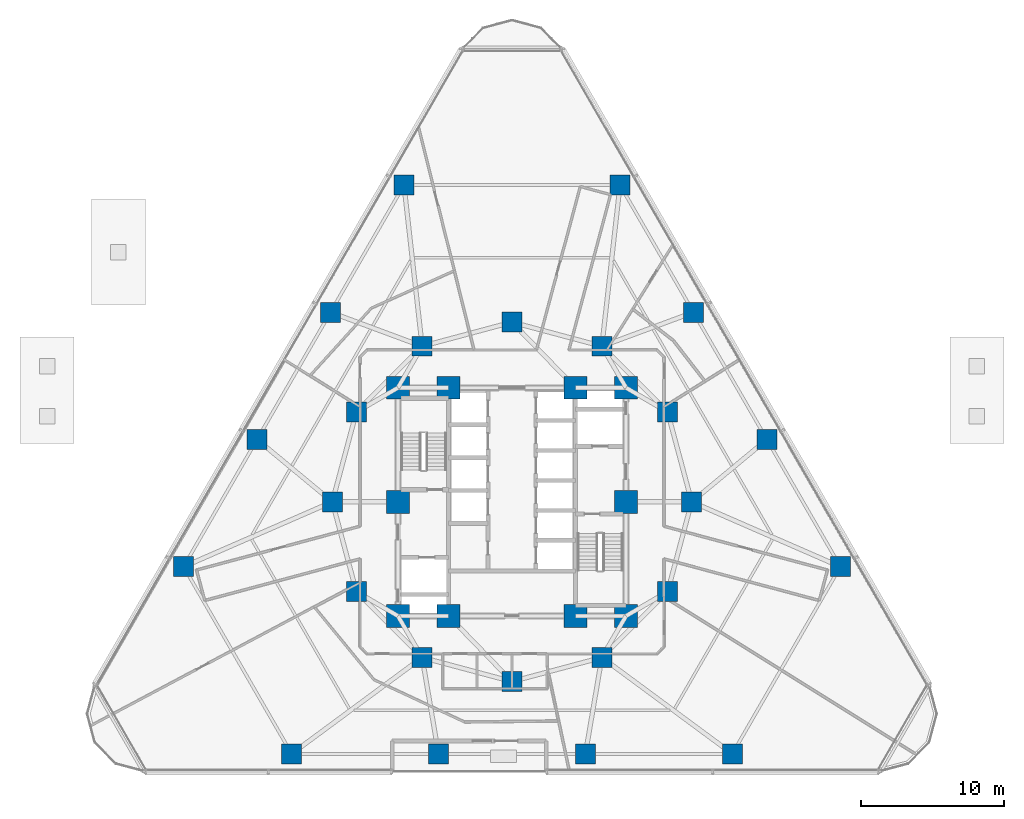
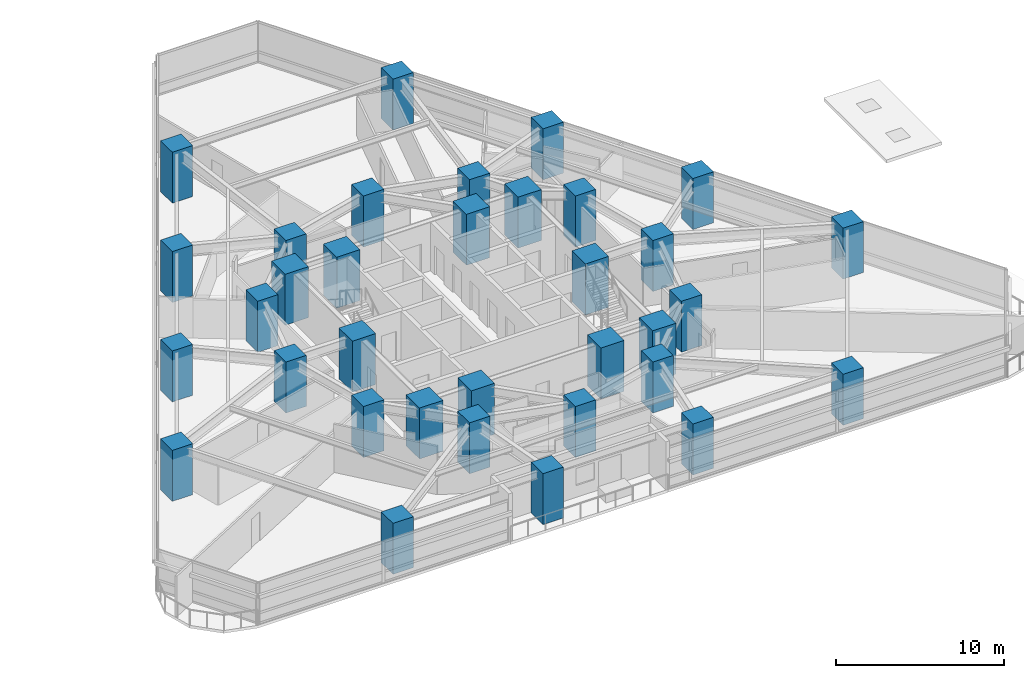
# One storey, part 1 of 16: 34 columns.
"""IFC4 building model written with IfcOpenShell, lengths in metres."""

from ifc_helpers import new_model, si_unit, direction, frame, origin, origin_2d, place, context, subcontext, project, spatial, rectangle, extrude, material, material_profile, profile_set, type_object, element, save


model = new_model("IFC4")

# Units and contexts
model_context = context("Model", 3, precision=1e-05, world=origin(), true_north=direction((0.0, 1.0)))
body_context = subcontext(model_context, "Body", "Model", "MODEL_VIEW")
ifc_project = project(units=[si_unit("LENGTHUNIT", "METRE"), si_unit("AREAUNIT", "SQUARE_METRE"), si_unit("VOLUMEUNIT", "CUBIC_METRE"), si_unit("PLANEANGLEUNIT", "RADIAN"), si_unit("MASSUNIT", "GRAM", prefix="KILO")], contexts=[model_context])

# Site, building, storey
site_placement = place(None, origin())
site = spatial("IfcSite", under=ifc_project, at=site_placement, CompositionType="ELEMENT")
building_placement = place(site_placement, origin())
building = spatial("IfcBuilding", under=site, at=building_placement, Name="Terralouvre Media Tower", CompositionType="ELEMENT")
storey_placement = place(building_placement, frame((0.0, 0.0, 29.699951171875)))
storey = spatial("IfcBuildingStorey", under=building, at=storey_placement, Name="L06", CompositionType="ELEMENT", Elevation=29.699951171875)

# Columns
ifc_material_1 = material(Name="Concrete C60/75", Category="concrete")
ifc_material_profile_1 = material_profile(ifc_material_1, rectangle(XDim=1.39990234375, YDim=1.39990234375, at=origin_2d()), Name="RC 1400x1400")
ifc_profile_set_1 = profile_set([ifc_material_profile_1], Name="Concrete C60/75")
column_type_1 = type_object("IfcColumnType", Name="Structural Column C-RC1400 (RC 1400x1400)", PredefinedType="COLUMN", material=ifc_profile_set_1)
for number, where, z_axis, x_axis, name in (
    (1, (12.60009765625, 0.0, 0.0), (0.0, 0.0, 1.0), (1.0, 0.0, 0.0), "L06 Mega-Frame Column MC01"),
    (2, (10.911865234375, 6.300048828125, 0.0), (0.0, 0.0, 1.0), (1.0, 0.0, 0.0), "L06 Mega-Frame Column MC02"),
    (3, (6.300048828125, 10.911865234375, 0.0), (0.0, 0.0, 1.0), (1.0, 0.0, 0.0), "L06 Mega-Frame Column MC03"),
    (4, (0.0, 12.60009765625, 0.0), (0.0, 0.0, 1.0), (1.0, 0.0, 0.0), "L06 Mega-Frame Column MC04"),
    (5, (-6.300048828125, 10.911865234375, 0.0), (0.0, 0.0, 1.0), (1.0, 0.0, 0.0), "L06 Mega-Frame Column MC05"),
    (6, (-10.911865234375, 6.300048828125, 0.0), (0.0, 0.0, 1.0), (1.0, 0.0, 0.0), "L06 Mega-Frame Column MC06"),
    (7, (-12.60009765625, 0.0, 0.0), (0.0, 0.0, 1.0), (1.0, 0.0, 0.0), "L06 Mega-Frame Column MC07"),
    (8, (-10.911865234375, -6.300048828125, 0.0), (0.0, 0.0, 1.0), (1.0, 0.0, 0.0), "L06 Mega-Frame Column MC08"),
    (9, (-6.300048828125, -10.911865234375, 0.0), (0.0, 0.0, 1.0), (1.0, 0.0, 0.0), "L06 Mega-Frame Column MC09"),
    (10, (0.0, -12.60009765625, 0.0), (0.0, 0.0, 1.0), (1.0, 0.0, 0.0), "L06 Mega-Frame Column MC10"),
    (11, (6.300048828125, -10.911865234375, 0.0), (0.0, 0.0, 1.0), (1.0, 0.0, 0.0), "L06 Mega-Frame Column MC11"),
    (12, (10.911865234375, -6.300048828125, 0.0), (0.0, 0.0, 1.0), (1.0, 0.0, 0.0), "L06 Mega-Frame Column MC12"),
    (13, (-15.449951171875, -17.666748046875, 0.0), (0.0, 0.0, 1.0), (1.0, 0.0, 0.0), "L06 Perimeter Mega-Column PC11"),
    (14, (-5.14990234375, -17.666748046875, 0.0), (0.0, 0.0, 1.0), (1.0, 0.0, 0.0), "L06 Perimeter Mega-Column PC12"),
    (15, (5.14990234375, -17.666748046875, 0.0), (0.0, 0.0, 1.0), (1.0, 0.0, 0.0), "L06 Perimeter Mega-Column PC13"),
    (16, (15.449951171875, -17.666748046875, 0.0), (0.0, 0.0, 1.0), (1.0, 0.0, 0.0), "L06 Perimeter Mega-Column PC14"),
    (17, (23.02490234375, -4.546630859375, 0.0), (0.0, 0.0, 1.0), (1.0, 0.0, 0.0), "L06 Perimeter Mega-Column PC21"),
    (18, (17.874755859375, 4.373291015625, 0.0), (0.0, 0.0, 1.0), (1.0, 0.0, 0.0), "L06 Perimeter Mega-Column PC22"),
    (19, (12.724853515625, 13.29345703125, 0.0), (0.0, 0.0, 1.0), (1.0, 0.0, 0.0), "L06 Perimeter Mega-Column PC23"),
    (20, (7.574951171875, 22.21337890625, 0.0), (0.0, 0.0, 1.0), (1.0, 0.0, 0.0), "L06 Perimeter Mega-Column PC24"),
    (21, (-7.574951171875, 22.21337890625, 0.0), (0.0, 0.0, 1.0), (1.0, 0.0, 0.0), "L06 Perimeter Mega-Column PC31"),
    (22, (-12.724853515625, 13.29345703125, 0.0), (0.0, 0.0, 1.0), (1.0, 0.0, 0.0), "L06 Perimeter Mega-Column PC32"),
    (23, (-17.874755859375, 4.373291015625, 0.0), (0.0, 0.0, 1.0), (1.0, 0.0, 0.0), "L06 Perimeter Mega-Column PC33"),
    (24, (-23.02490234375, -4.546630859375, 0.0), (0.0, 0.0, 1.0), (1.0, 0.0, 0.0), "L06 Perimeter Mega-Column PC34"),
):
    element("IfcColumn", number, at=place(storey_placement, frame(where, z_axis=z_axis, x_axis=x_axis)), inside=storey, type_object=column_type_1, Name=name, PredefinedType="COLUMN", context=body_context, shape_type="SweptSolid", body=[
        extrude(rectangle(XDim=1.39990234375, YDim=1.39990234375, at=origin_2d()), origin(), (0.0, 0.0, 1.0), 3.699951171875),
    ])
ifc_material_2 = material(Name="Concrete C60/75", Category="concrete")
ifc_material_profile_2 = material_profile(ifc_material_2, rectangle(XDim=1.60009765625, YDim=1.60009765625, at=origin_2d()), Name="RC 1600x1600")
ifc_profile_set_2 = profile_set([ifc_material_profile_2], Name="Concrete C60/75")
column_type_2 = type_object("IfcColumnType", Name="Structural Column C-RC1600 (RC 1600x1600)", PredefinedType="COLUMN", material=ifc_profile_set_2)
for number, where, z_axis, x_axis, name in (
    (25, (-8.0, -8.0, 0.0), (0.0, 0.0, 1.0), (1.0, 0.0, 0.0), "L06 Core Pilaster Column CP1"),
    (26, (-4.449951171875, -8.0, 0.0), (0.0, 0.0, 1.0), (1.0, 0.0, 0.0), "L06 Core Pilaster Column CP2"),
    (27, (4.449951171875, -8.0, 0.0), (0.0, 0.0, 1.0), (1.0, 0.0, 0.0), "L06 Core Pilaster Column CP10"),
    (28, (8.0, -8.0, 0.0), (0.0, 0.0, 1.0), (1.0, 0.0, 0.0), "L06 Core Pilaster Column CP3"),
    (29, (8.0, 0.0, 0.0), (0.0, 0.0, 1.0), (1.0, 0.0, 0.0), "L06 Core Pilaster Column CP4"),
    (30, (8.0, 8.0, 0.0), (0.0, 0.0, 1.0), (1.0, 0.0, 0.0), "L06 Core Pilaster Column CP5"),
    (31, (4.449951171875, 8.0, 0.0), (0.0, 0.0, 1.0), (1.0, 0.0, 0.0), "L06 Core Pilaster Column CP9"),
    (32, (-4.449951171875, 8.0, 0.0), (0.0, 0.0, 1.0), (1.0, 0.0, 0.0), "L06 Core Pilaster Column CP6"),
    (33, (-8.0, 8.0, 0.0), (0.0, 0.0, 1.0), (1.0, 0.0, 0.0), "L06 Core Pilaster Column CP7"),
    (34, (-8.0, 0.0, 0.0), (0.0, 0.0, 1.0), (1.0, 0.0, 0.0), "L06 Core Pilaster Column CP8"),
):
    element("IfcColumn", number, at=place(storey_placement, frame(where, z_axis=z_axis, x_axis=x_axis)), inside=storey, type_object=column_type_2, Name=name, PredefinedType="COLUMN", context=body_context, shape_type="SweptSolid", body=[
        extrude(rectangle(XDim=1.60009765625, YDim=1.60009765625, at=origin_2d()), origin(), (0.0, 0.0, 1.0), 3.699951171875),
    ])

save(model, "model.ifc")
